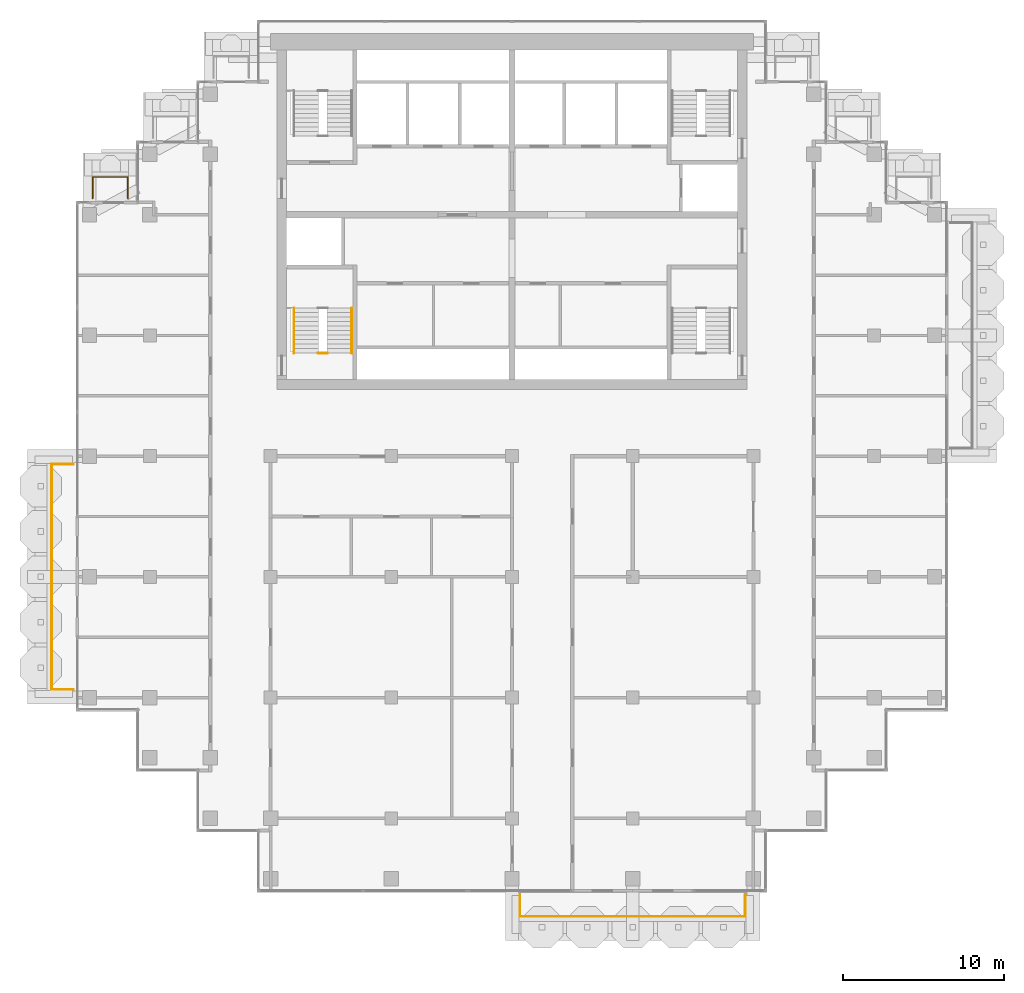
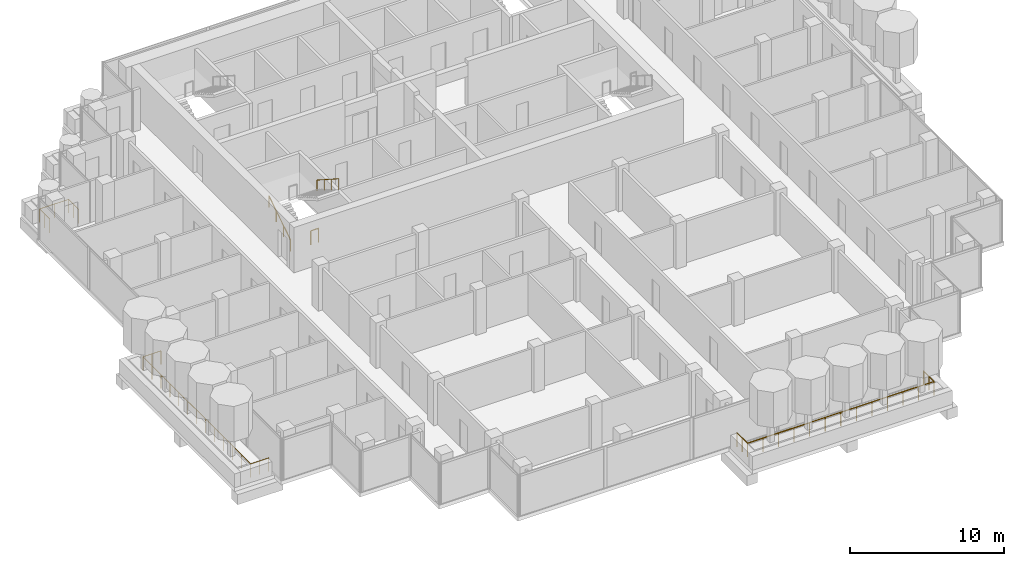
# One storey, part 16 of 19: 6 railings.
"""IFC4 building model written with IfcOpenShell, lengths in metres."""

from ifc_helpers import new_model, si_unit, direction, frame, origin, origin_2d, place, context, subcontext, project, spatial, circle, extrude, material, type_object, element, save


model = new_model("IFC4")

# Units and contexts
model_context = context("Model", 3, precision=1e-05, world=origin(), true_north=direction((0.0, 1.0)))
body_context = subcontext(model_context, "Body", "Model", "MODEL_VIEW")
ifc_project = project(units=[si_unit("LENGTHUNIT", "METRE"), si_unit("AREAUNIT", "SQUARE_METRE"), si_unit("VOLUMEUNIT", "CUBIC_METRE"), si_unit("PLANEANGLEUNIT", "RADIAN"), si_unit("MASSUNIT", "GRAM", prefix="KILO")], contexts=[model_context])

# Site, building, storey
site_placement = place(None, origin())
site = spatial("IfcSite", under=ifc_project, at=site_placement, CompositionType="ELEMENT")
building_placement = place(site_placement, origin())
building = spatial("IfcBuilding", under=site, at=building_placement, Name="Pilkhan Gate Tower", CompositionType="ELEMENT")
storey_placement = place(building_placement, frame((0.0, 0.0, 246.300048828125)))
storey = spatial("IfcBuildingStorey", under=building, at=storey_placement, Name="L64", CompositionType="ELEMENT", Elevation=246.300048828125)

# Railings
ifc_material_1 = material(Name="Pale anodised aluminium posts, laminated glass infill", Category="aluminium")
railing_type_1 = type_object("IfcRailingType", Name="Balcony guard G1", PredefinedType="BALUSTRADE", material=ifc_material_1)
railing_1_placement = place(storey_placement, frame((75.5, 40.25, 0.0)))
element("IfcRailing", 1, at=railing_1_placement, inside=storey, type_object=railing_type_1, Name="Balcony guard L64 S", PredefinedType="BALUSTRADE", context=body_context, shape_type="SweptSolid", body=[
    extrude(circle(Radius=0.02392578125, at=origin_2d()), frame((0.0, 0.0, 1.076171875), z_axis=(0.0, -1.0, 0.0), x_axis=(1.0, 0.0, 0.0)), (0.0, 0.0, 1.0), 1.35009765625),
    extrude(circle(Radius=0.02392578125, at=origin_2d()), frame((0.0, -1.35009765625, 1.076171875), z_axis=(1.0, 0.0, 0.0), x_axis=(0.0, 1.0, 0.0)), (0.0, 0.0, 1.0), 14.0),
    extrude(circle(Radius=0.02392578125, at=origin_2d()), frame((14.0, -1.35009765625, 1.076171875), z_axis=(0.0, 1.0, 0.0), x_axis=(-1.0, 0.0, 0.0)), (0.0, 0.0, 1.0), 1.35009765625),
    extrude(circle(Radius=0.02099609375, at=origin_2d()), origin(), (0.0, 0.0, 1.0), 1.052001953125),
    extrude(circle(Radius=0.02099609375, at=origin_2d()), frame((0.0, -0.675048828125, 0.0)), (0.0, 0.0, 1.0), 1.052001953125),
    extrude(circle(Radius=0.02099609375, at=origin_2d()), frame((0.0, -1.35009765625, 0.0)), (0.0, 0.0, 1.0), 1.052001953125),
    extrude(circle(Radius=0.02099609375, at=origin_2d()), frame((1.166748046875, -1.35009765625, 0.0)), (0.0, 0.0, 1.0), 1.052001953125),
    extrude(circle(Radius=0.02099609375, at=origin_2d()), frame((2.333251953125, -1.35009765625, 0.0)), (0.0, 0.0, 1.0), 1.052001953125),
    extrude(circle(Radius=0.02099609375, at=origin_2d()), frame((3.5, -1.35009765625, 0.0)), (0.0, 0.0, 1.0), 1.052001953125),
    extrude(circle(Radius=0.02099609375, at=origin_2d()), frame((4.666748046875, -1.35009765625, 0.0)), (0.0, 0.0, 1.0), 1.052001953125),
    extrude(circle(Radius=0.02099609375, at=origin_2d()), frame((5.833251953125, -1.35009765625, 0.0)), (0.0, 0.0, 1.0), 1.052001953125),
    extrude(circle(Radius=0.02099609375, at=origin_2d()), frame((7.0, -1.35009765625, 0.0)), (0.0, 0.0, 1.0), 1.052001953125),
    extrude(circle(Radius=0.02099609375, at=origin_2d()), frame((8.166748046875, -1.35009765625, 0.0)), (0.0, 0.0, 1.0), 1.052001953125),
    extrude(circle(Radius=0.02099609375, at=origin_2d()), frame((9.333251953125, -1.35009765625, 0.0)), (0.0, 0.0, 1.0), 1.052001953125),
    extrude(circle(Radius=0.02099609375, at=origin_2d()), frame((10.5, -1.35009765625, 0.0)), (0.0, 0.0, 1.0), 1.052001953125),
    extrude(circle(Radius=0.02099609375, at=origin_2d()), frame((11.666748046875, -1.35009765625, 0.0)), (0.0, 0.0, 1.0), 1.052001953125),
    extrude(circle(Radius=0.02099609375, at=origin_2d()), frame((12.833251953125, -1.35009765625, 0.0)), (0.0, 0.0, 1.0), 1.052001953125),
    extrude(circle(Radius=0.02099609375, at=origin_2d()), frame((14.0, -1.35009765625, 0.0)), (0.0, 0.0, 1.0), 1.052001953125),
    extrude(circle(Radius=0.02099609375, at=origin_2d()), frame((14.0, -0.675048828125, 0.0)), (0.0, 0.0, 1.0), 1.052001953125),
    extrude(circle(Radius=0.02099609375, at=origin_2d()), frame((14.0, 0.0, 0.0)), (0.0, 0.0, 1.0), 1.052001953125),
])
railing_2_placement = place(storey_placement, frame((48.949951171875, 83.52001953125, 0.0)))
element("IfcRailing", 2, at=railing_2_placement, inside=storey, type_object=railing_type_1, Name="Balcony guard L64 N", PredefinedType="BALUSTRADE", context=body_context, shape_type="SweptSolid", body=[
    extrude(circle(Radius=0.02392578125, at=origin_2d()), frame((0.0, 0.0, 1.076171875), z_axis=(0.0, 1.0, 0.0), x_axis=(-1.0, 0.0, 0.0)), (0.0, 0.0, 1.0), 1.330078125),
    extrude(circle(Radius=0.02392578125, at=origin_2d()), frame((0.0, 1.330078125, 1.076171875), z_axis=(1.0, 0.0, 0.0), x_axis=(0.0, 1.0, 0.0)), (0.0, 0.0, 1.0), 2.179931640625),
    extrude(circle(Radius=0.02392578125, at=origin_2d()), frame((2.179931640625, 1.330078125, 1.076171875), z_axis=(0.0, -1.0, 0.0), x_axis=(1.0, 0.0, 0.0)), (0.0, 0.0, 1.0), 1.330078125),
    extrude(circle(Radius=0.02099609375, at=origin_2d()), origin(), (0.0, 0.0, 1.0), 1.052001953125),
    extrude(circle(Radius=0.02099609375, at=origin_2d()), frame((0.0, 0.6650390625, 0.0)), (0.0, 0.0, 1.0), 1.052001953125),
    extrude(circle(Radius=0.02099609375, at=origin_2d()), frame((0.0, 1.330078125, 0.0)), (0.0, 0.0, 1.0), 1.052001953125),
    extrude(circle(Radius=0.02099609375, at=origin_2d()), frame((1.08984375, 1.330078125, 0.0)), (0.0, 0.0, 1.0), 1.052001953125),
    extrude(circle(Radius=0.02099609375, at=origin_2d()), frame((2.179931640625, 1.330078125, 0.0)), (0.0, 0.0, 1.0), 1.052001953125),
    extrude(circle(Radius=0.02099609375, at=origin_2d()), frame((2.179931640625, 0.6650390625, 0.0)), (0.0, 0.0, 1.0), 1.052001953125),
    extrude(circle(Radius=0.02099609375, at=origin_2d()), frame((2.179931640625, 0.0, 0.0)), (0.0, 0.0, 1.0), 1.052001953125),
])
railing_3_placement = place(storey_placement, frame((47.75, 53.0, 0.0)))
element("IfcRailing", 3, at=railing_3_placement, inside=storey, type_object=railing_type_1, Name="Balcony guard L64 W", PredefinedType="BALUSTRADE", context=body_context, shape_type="SweptSolid", body=[
    extrude(circle(Radius=0.02392578125, at=origin_2d()), frame((0.0, 0.0, 1.076171875), z_axis=(-1.0, 0.0, 0.0), x_axis=(0.0, -1.0, 0.0)), (0.0, 0.0, 1.0), 1.35009765625),
    extrude(circle(Radius=0.02392578125, at=origin_2d()), frame((-1.35009765625, 0.0, 1.076171875), z_axis=(0.0, 1.0, 0.0), x_axis=(-1.0, 0.0, 0.0)), (0.0, 0.0, 1.0), 14.0),
    extrude(circle(Radius=0.02392578125, at=origin_2d()), frame((-1.35009765625, 14.0, 1.076171875), z_axis=(1.0, 0.0, 0.0), x_axis=(0.0, 1.0, 0.0)), (0.0, 0.0, 1.0), 1.35009765625),
    extrude(circle(Radius=0.02099609375, at=origin_2d()), origin(), (0.0, 0.0, 1.0), 1.052001953125),
    extrude(circle(Radius=0.02099609375, at=origin_2d()), frame((-0.675048828125, 0.0, 0.0)), (0.0, 0.0, 1.0), 1.052001953125),
    extrude(circle(Radius=0.02099609375, at=origin_2d()), frame((-1.35009765625, 0.0, 0.0)), (0.0, 0.0, 1.0), 1.052001953125),
    extrude(circle(Radius=0.02099609375, at=origin_2d()), frame((-1.35009765625, 1.166748046875, 0.0)), (0.0, 0.0, 1.0), 1.052001953125),
    extrude(circle(Radius=0.02099609375, at=origin_2d()), frame((-1.35009765625, 2.333251953125, 0.0)), (0.0, 0.0, 1.0), 1.052001953125),
    extrude(circle(Radius=0.02099609375, at=origin_2d()), frame((-1.35009765625, 3.5, 0.0)), (0.0, 0.0, 1.0), 1.052001953125),
    extrude(circle(Radius=0.02099609375, at=origin_2d()), frame((-1.35009765625, 4.666748046875, 0.0)), (0.0, 0.0, 1.0), 1.052001953125),
    extrude(circle(Radius=0.02099609375, at=origin_2d()), frame((-1.35009765625, 5.833251953125, 0.0)), (0.0, 0.0, 1.0), 1.052001953125),
    extrude(circle(Radius=0.02099609375, at=origin_2d()), frame((-1.35009765625, 7.0, 0.0)), (0.0, 0.0, 1.0), 1.052001953125),
    extrude(circle(Radius=0.02099609375, at=origin_2d()), frame((-1.35009765625, 8.166748046875, 0.0)), (0.0, 0.0, 1.0), 1.052001953125),
    extrude(circle(Radius=0.02099609375, at=origin_2d()), frame((-1.35009765625, 9.333251953125, 0.0)), (0.0, 0.0, 1.0), 1.052001953125),
    extrude(circle(Radius=0.02099609375, at=origin_2d()), frame((-1.35009765625, 10.5, 0.0)), (0.0, 0.0, 1.0), 1.052001953125),
    extrude(circle(Radius=0.02099609375, at=origin_2d()), frame((-1.35009765625, 11.666748046875, 0.0)), (0.0, 0.0, 1.0), 1.052001953125),
    extrude(circle(Radius=0.02099609375, at=origin_2d()), frame((-1.35009765625, 12.833251953125, 0.0)), (0.0, 0.0, 1.0), 1.052001953125),
    extrude(circle(Radius=0.02099609375, at=origin_2d()), frame((-1.35009765625, 14.0, 0.0)), (0.0, 0.0, 1.0), 1.052001953125),
    extrude(circle(Radius=0.02099609375, at=origin_2d()), frame((-0.675048828125, 14.0, 0.0)), (0.0, 0.0, 1.0), 1.052001953125),
    extrude(circle(Radius=0.02099609375, at=origin_2d()), frame((0.0, 14.0, 0.0)), (0.0, 0.0, 1.0), 1.052001953125),
])
ifc_material_2 = material(Name="Black powder-coated steel tube", Category="steel")
railing_type_2 = type_object("IfcRailingType", Name="Stair handrail HR1", PredefinedType="HANDRAIL", material=ifc_material_2)
railing_4_placement = place(storey_placement, frame((61.449951171875, 73.89990234375, 0.0)))
element("IfcRailing", 4, at=railing_4_placement, inside=storey, type_object=railing_type_2, Name="Stair ST2 handrail L64", PredefinedType="HANDRAIL", context=body_context, shape_type="SweptSolid", body=[
    extrude(circle(Radius=0.02392578125, at=origin_2d()), frame((0.0, 0.0, 0.8759765625), z_axis=(0.0, 0.841176092368, 0.540761298198), x_axis=(-1.0, 0.0, 0.0)), (0.0, 0.0, 1.0), 3.32861328125),
    extrude(circle(Radius=0.02099609375, at=origin_2d()), origin(), (0.0, 0.0, 1.0), 0.851806640625),
    extrude(circle(Radius=0.02099609375, at=origin_2d()), frame((0.0, 0.933349609375, 0.60009765625)), (0.0, 0.0, 1.0), 0.851806640625),
    extrude(circle(Radius=0.02099609375, at=origin_2d()), frame((0.0, 1.86669921875, 1.199951171875)), (0.0, 0.0, 1.0), 0.851806640625),
    extrude(circle(Radius=0.02099609375, at=origin_2d()), frame((0.0, 2.800048828125, 1.800048828125)), (0.0, 0.0, 1.0), 0.851806640625),
])
railing_5_placement = place(storey_placement, frame((65.050048828125, 76.699951171875, 1.800048828125)))
element("IfcRailing", 5, at=railing_5_placement, inside=storey, type_object=railing_type_2, Name="Stair ST2 handrail L64", PredefinedType="HANDRAIL", context=body_context, shape_type="SweptSolid", body=[
    extrude(circle(Radius=0.02392578125, at=origin_2d()), frame((0.0, 0.0, 0.8759765625), z_axis=(0.0, -0.841209454229, 0.540709398952), x_axis=(1.0, 0.0, 0.0)), (0.0, 0.0, 1.0), 3.32861328125),
    extrude(circle(Radius=0.02099609375, at=origin_2d()), origin(), (0.0, 0.0, 1.0), 0.851806640625),
    extrude(circle(Radius=0.02099609375, at=origin_2d()), frame((0.0, -0.933349609375, 0.599853515625)), (0.0, 0.0, 1.0), 0.851806640625),
    extrude(circle(Radius=0.02099609375, at=origin_2d()), frame((0.0, -1.86669921875, 1.199951171875)), (0.0, 0.0, 1.0), 0.851806640625),
    extrude(circle(Radius=0.02099609375, at=origin_2d()), frame((0.0, -2.800048828125, 1.7998046875)), (0.0, 0.0, 1.0), 0.851806640625),
])
ifc_material_3 = material(Name="Black powder-coated steel balusters", Category="steel")
railing_type_3 = type_object("IfcRailingType", Name="Stair well guard G3", PredefinedType="GUARDRAIL", material=ifc_material_3)
railing_6_placement = place(storey_placement, frame((62.9599609375, 73.89990234375, 0.0)))
element("IfcRailing", 6, at=railing_6_placement, inside=storey, type_object=railing_type_3, Name="Stair ST2 well guard L64", PredefinedType="GUARDRAIL", context=body_context, shape_type="SweptSolid", body=[
    extrude(circle(Radius=0.02392578125, at=origin_2d()), frame((0.0, 0.0, 1.076171875), z_axis=(1.0, 0.0, 0.0), x_axis=(0.0, 1.0, 0.0)), (0.0, 0.0, 1.0), 0.580078125),
    extrude(circle(Radius=0.02099609375, at=origin_2d()), origin(), (0.0, 0.0, 1.0), 1.052001953125),
    extrude(circle(Radius=0.02099609375, at=origin_2d()), frame((0.580078125, 0.0, 0.0)), (0.0, 0.0, 1.0), 1.052001953125),
])

save(model, "model.ifc")
